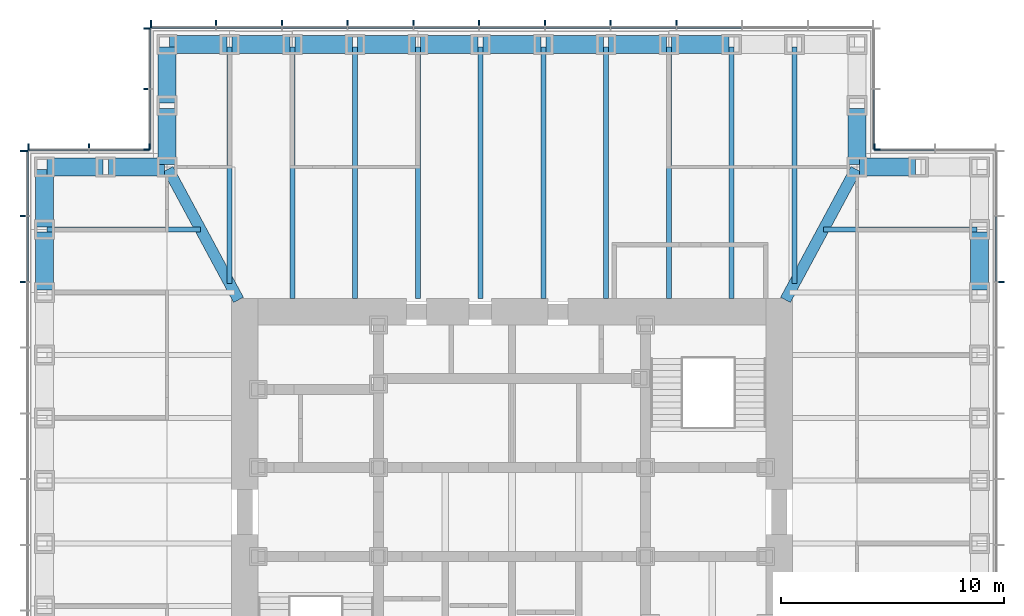
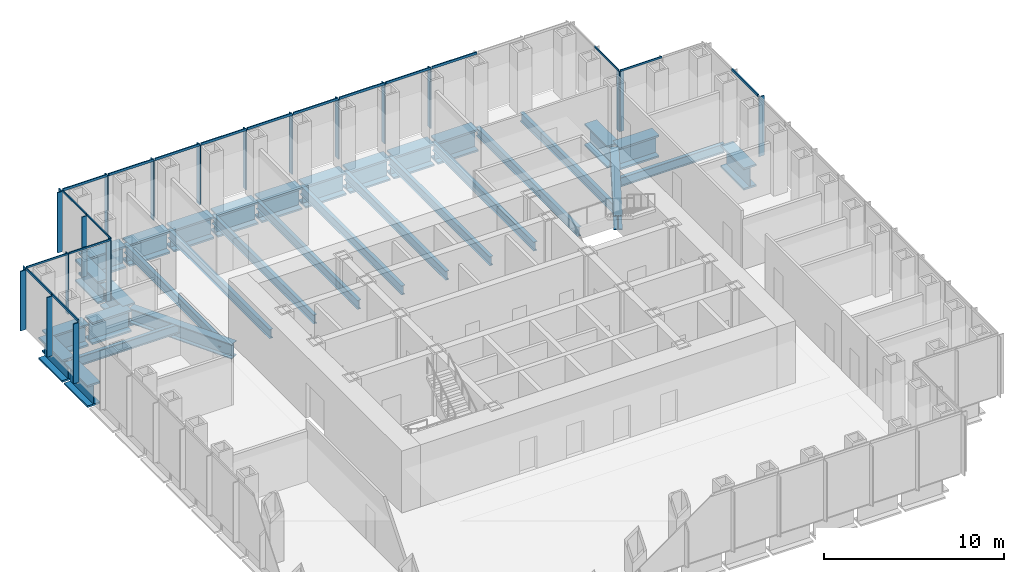
# One storey, part 5 of 16: 39 members, 32 beams, 7 elements without a shape of their own.
"""IFC4 building model written with IfcOpenShell, lengths in metres."""

from ifc_helpers import new_model, si_unit, direction, frame, origin, origin_2d, place, context, subcontext, project, spatial, rectangle, i_section, extrude, material, material_profile, profile_set, type_object, element, aggregate, save


model = new_model("IFC4")

# Units and contexts
model_context = context("Model", 3, precision=1e-05, world=origin(), true_north=direction((0.0, 1.0)))
body_context = subcontext(model_context, "Body", "Model", "MODEL_VIEW")
ifc_project = project(units=[si_unit("LENGTHUNIT", "METRE"), si_unit("AREAUNIT", "SQUARE_METRE"), si_unit("VOLUMEUNIT", "CUBIC_METRE"), si_unit("PLANEANGLEUNIT", "RADIAN"), si_unit("MASSUNIT", "GRAM", prefix="KILO")], contexts=[model_context])

# Site, building, storey
site_placement = place(None, origin())
site = spatial("IfcSite", under=ifc_project, at=site_placement, CompositionType="ELEMENT")
building_placement = place(site_placement, origin())
building = spatial("IfcBuilding", under=site, at=building_placement, Name="Daluyong Arena Tower", CompositionType="ELEMENT")
storey_placement = place(building_placement, frame((0.0, 0.0, 206.5)))
storey = spatial("IfcBuildingStorey", under=building, at=storey_placement, Name="L46", CompositionType="ELEMENT", Elevation=206.5)

# Curtain wall, member
ifc_material_1 = material(Name="Bronze anodised aluminium and glass", Category="aluminium")
curtain_wall_type_1 = type_object("IfcCurtainWallType", Name="Curtain wall CW3", PredefinedType="USERDEFINED", material=ifc_material_1)
curtain_wall_1_placement = place(storey_placement, origin())
curtain_wall_1 = element("IfcCurtainWall", 1, at=curtain_wall_1_placement, inside=storey, type_object=curtain_wall_type_1, Name="curtain wall L46 E", ObjectType="UNITISED CURTAIN WALL", PredefinedType="USERDEFINED")
ifc_material_2 = material(Name="Bronze anodised aluminium fin", Category="aluminium")
ifc_material_profile_1 = material_profile(ifc_material_2, rectangle(XDim=0.35009765625, YDim=0.070068359375, at=origin_2d()))
ifc_profile_set_1 = profile_set([ifc_material_profile_1], Name="Bronze anodised aluminium fin")
member_type_1 = type_object("IfcMemberType", Name="CW3 bronze fin 350x70", PredefinedType="MULLION", material=ifc_profile_set_1)
member_1_placement = place(storey_placement, frame((77.925048828125, 90.3408203125, 0.0), z_axis=(0.0, 0.0, 1.0), x_axis=(-1.0, 0.0, 0.0)))
member_1 = element("IfcMember", 2, at=member_1_placement, type_object=member_type_1, Name="curtain wall L46 E fin 10", PredefinedType="MULLION", context=body_context, shape_type="SweptSolid", body=[
    extrude(rectangle(XDim=0.35009765625, YDim=0.070068359375, at=origin_2d()), origin(), (0.0, 0.0, 1.0), 4.0400390625),
])

# Curtain wall, members
curtain_wall_2_placement = place(storey_placement, origin())
curtain_wall_2 = element("IfcCurtainWall", 3, at=curtain_wall_2_placement, inside=storey, type_object=curtain_wall_type_1, Name="curtain wall L46 N", ObjectType="UNITISED CURTAIN WALL", PredefinedType="USERDEFINED")
member_2_placement = place(storey_placement, frame((63.386474609375, 101.925048828125, 0.0), z_axis=(0.0, 0.0, 1.0), x_axis=(0.0, -1.0, 0.0)))
member_2 = element("IfcMember", 4, at=member_2_placement, type_object=member_type_1, Name="curtain wall L46 N fin 4", PredefinedType="MULLION", context=body_context, shape_type="SweptSolid", body=[
    extrude(rectangle(XDim=0.35009765625, YDim=0.070068359375, at=origin_2d()), origin(), (0.0, 0.0, 1.0), 4.0400390625),
])
member_3_placement = place(storey_placement, frame((60.431884765625, 101.925048828125, 0.0), z_axis=(0.0, 0.0, 1.0), x_axis=(0.0, -1.0, 0.0)))
member_3 = element("IfcMember", 5, at=member_3_placement, type_object=member_type_1, Name="curtain wall L46 N fin 5", PredefinedType="MULLION", context=body_context, shape_type="SweptSolid", body=[
    extrude(rectangle(XDim=0.35009765625, YDim=0.070068359375, at=origin_2d()), origin(), (0.0, 0.0, 1.0), 4.0400390625),
])
member_4_placement = place(storey_placement, frame((57.477294921875, 101.925048828125, 0.0), z_axis=(0.0, 0.0, 1.0), x_axis=(0.0, -1.0, 0.0)))
member_4 = element("IfcMember", 6, at=member_4_placement, type_object=member_type_1, Name="curtain wall L46 N fin 6", PredefinedType="MULLION", context=body_context, shape_type="SweptSolid", body=[
    extrude(rectangle(XDim=0.35009765625, YDim=0.070068359375, at=origin_2d()), origin(), (0.0, 0.0, 1.0), 4.0400390625),
])
member_5_placement = place(storey_placement, frame((54.522705078125, 101.925048828125, 0.0), z_axis=(0.0, 0.0, 1.0), x_axis=(0.0, -1.0, 0.0)))
member_5 = element("IfcMember", 7, at=member_5_placement, type_object=member_type_1, Name="curtain wall L46 N fin 7", PredefinedType="MULLION", context=body_context, shape_type="SweptSolid", body=[
    extrude(rectangle(XDim=0.35009765625, YDim=0.070068359375, at=origin_2d()), origin(), (0.0, 0.0, 1.0), 4.0400390625),
])
member_6_placement = place(storey_placement, frame((51.568115234375, 101.925048828125, 0.0), z_axis=(0.0, 0.0, 1.0), x_axis=(0.0, -1.0, 0.0)))
member_6 = element("IfcMember", 8, at=member_6_placement, type_object=member_type_1, Name="curtain wall L46 N fin 8", PredefinedType="MULLION", context=body_context, shape_type="SweptSolid", body=[
    extrude(rectangle(XDim=0.35009765625, YDim=0.070068359375, at=origin_2d()), origin(), (0.0, 0.0, 1.0), 4.0400390625),
])
member_7_placement = place(storey_placement, frame((48.613525390625, 101.925048828125, 0.0), z_axis=(0.0, 0.0, 1.0), x_axis=(0.0, -1.0, 0.0)))
member_7 = element("IfcMember", 9, at=member_7_placement, type_object=member_type_1, Name="curtain wall L46 N fin 9", PredefinedType="MULLION", context=body_context, shape_type="SweptSolid", body=[
    extrude(rectangle(XDim=0.35009765625, YDim=0.070068359375, at=origin_2d()), origin(), (0.0, 0.0, 1.0), 4.0400390625),
])
member_8_placement = place(storey_placement, frame((45.6591796875, 101.925048828125, 0.0), z_axis=(0.0, 0.0, 1.0), x_axis=(0.0, -1.0, 0.0)))
member_8 = element("IfcMember", 10, at=member_8_placement, type_object=member_type_1, Name="curtain wall L46 N fin 10", PredefinedType="MULLION", context=body_context, shape_type="SweptSolid", body=[
    extrude(rectangle(XDim=0.35009765625, YDim=0.070068359375, at=origin_2d()), origin(), (0.0, 0.0, 1.0), 4.0400390625),
])
member_9_placement = place(storey_placement, frame((42.70458984375, 101.925048828125, 0.0), z_axis=(0.0, 0.0, 1.0), x_axis=(0.0, -1.0, 0.0)))
member_9 = element("IfcMember", 11, at=member_9_placement, type_object=member_type_1, Name="curtain wall L46 N fin 11", PredefinedType="MULLION", context=body_context, shape_type="SweptSolid", body=[
    extrude(rectangle(XDim=0.35009765625, YDim=0.070068359375, at=origin_2d()), origin(), (0.0, 0.0, 1.0), 4.0400390625),
])
member_10_placement = place(storey_placement, frame((39.784912109375, 101.925048828125, 0.0), z_axis=(0.0, 0.0, 1.0), x_axis=(0.0, -1.0, 0.0)))
member_10 = element("IfcMember", 12, at=member_10_placement, type_object=member_type_1, Name="curtain wall L46 N fin 12", PredefinedType="MULLION", context=body_context, shape_type="SweptSolid", body=[
    extrude(rectangle(XDim=0.35009765625, YDim=0.070068359375, at=origin_2d()), origin(), (0.0, 0.0, 1.0), 4.0400390625),
])

curtain_wall_3_placement = place(storey_placement, origin())
curtain_wall_3 = element("IfcCurtainWall", 13, at=curtain_wall_3_placement, inside=storey, type_object=curtain_wall_type_1, Name="curtain wall L46 W", ObjectType="UNITISED CURTAIN WALL", PredefinedType="USERDEFINED")
member_11_placement = place(storey_placement, frame((34.074951171875, 96.215087890625, 0.0), z_axis=(0.0, 0.0, 1.0), x_axis=(1.0, 0.0, 0.0)))
member_11 = element("IfcMember", 14, at=member_11_placement, type_object=member_type_1, Name="curtain wall L46 W fin 1", PredefinedType="MULLION", context=body_context, shape_type="SweptSolid", body=[
    extrude(rectangle(XDim=0.35009765625, YDim=0.070068359375, at=origin_2d()), origin(), (0.0, 0.0, 1.0), 4.0400390625),
])
member_12_placement = place(storey_placement, frame((34.074951171875, 93.29541015625, 0.0), z_axis=(0.0, 0.0, 1.0), x_axis=(1.0, 0.0, 0.0)))
member_12 = element("IfcMember", 15, at=member_12_placement, type_object=member_type_1, Name="curtain wall L46 W fin 2", PredefinedType="MULLION", context=body_context, shape_type="SweptSolid", body=[
    extrude(rectangle(XDim=0.35009765625, YDim=0.070068359375, at=origin_2d()), origin(), (0.0, 0.0, 1.0), 4.0400390625),
])
member_13_placement = place(storey_placement, frame((34.074951171875, 90.3408203125, 0.0), z_axis=(0.0, 0.0, 1.0), x_axis=(1.0, 0.0, 0.0)))
member_13 = element("IfcMember", 16, at=member_13_placement, type_object=member_type_1, Name="curtain wall L46 W fin 3", PredefinedType="MULLION", context=body_context, shape_type="SweptSolid", body=[
    extrude(rectangle(XDim=0.35009765625, YDim=0.070068359375, at=origin_2d()), origin(), (0.0, 0.0, 1.0), 4.0400390625),
])

# Member
ifc_material_3 = material(Name="Bronze anodised aluminium", Category="aluminium")
ifc_material_profile_2 = material_profile(ifc_material_3, rectangle(XDim=0.070068359375, YDim=0.159912109375, at=origin_2d()))
ifc_profile_set_2 = profile_set([ifc_material_profile_2], Name="Bronze anodised aluminium")
member_type_2 = type_object("IfcMemberType", Name="CW3 stack transom 160x70", PredefinedType="USERDEFINED", material=ifc_profile_set_2)
member_14_placement = place(storey_placement, frame((77.75, 90.3759765625, 4.1201171875), z_axis=(0.0, 1.0, 0.0), x_axis=(-1.0, 0.0, 0.0)))
member_14 = element("IfcMember", 17, at=member_14_placement, type_object=member_type_2, Name="curtain wall L46 E transom 10", ObjectType="TRANSOM", PredefinedType="USERDEFINED", context=body_context, shape_type="SweptSolid", body=[
    extrude(rectangle(XDim=0.070068359375, YDim=0.159912109375, at=origin_2d()), origin(), (0.0, 0.0, 1.0), 2.884521484375),
])

aggregate(curtain_wall_1, [member_1, member_14])

member_15_placement = place(storey_placement, frame((66.305908203125, 101.75, 4.1201171875), z_axis=(-1.0, 0.0, 0.0), x_axis=(0.0, -1.0, 0.0)))
member_15 = element("IfcMember", 18, at=member_15_placement, type_object=member_type_2, Name="curtain wall L46 N transom 3", ObjectType="TRANSOM", PredefinedType="USERDEFINED", context=body_context, shape_type="SweptSolid", body=[
    extrude(rectangle(XDim=0.070068359375, YDim=0.159912109375, at=origin_2d()), origin(), (0.0, 0.0, 1.0), 2.884521484375),
])

member_16_placement = place(storey_placement, frame((63.351318359375, 101.75, 4.1201171875), z_axis=(-1.0, 0.0, 0.0), x_axis=(0.0, -1.0, 0.0)))
member_16 = element("IfcMember", 19, at=member_16_placement, type_object=member_type_2, Name="curtain wall L46 N transom 4", ObjectType="TRANSOM", PredefinedType="USERDEFINED", context=body_context, shape_type="SweptSolid", body=[
    extrude(rectangle(XDim=0.070068359375, YDim=0.159912109375, at=origin_2d()), origin(), (0.0, 0.0, 1.0), 2.884521484375),
])

member_17_placement = place(storey_placement, frame((60.396728515625, 101.75, 4.1201171875), z_axis=(-1.0, 0.0, 0.0), x_axis=(0.0, -1.0, 0.0)))
member_17 = element("IfcMember", 20, at=member_17_placement, type_object=member_type_2, Name="curtain wall L46 N transom 5", ObjectType="TRANSOM", PredefinedType="USERDEFINED", context=body_context, shape_type="SweptSolid", body=[
    extrude(rectangle(XDim=0.070068359375, YDim=0.159912109375, at=origin_2d()), origin(), (0.0, 0.0, 1.0), 2.884521484375),
])

member_18_placement = place(storey_placement, frame((57.4423828125, 101.75, 4.1201171875), z_axis=(-1.0, 0.0, 0.0), x_axis=(0.0, -1.0, 0.0)))
member_18 = element("IfcMember", 21, at=member_18_placement, type_object=member_type_2, Name="curtain wall L46 N transom 6", ObjectType="TRANSOM", PredefinedType="USERDEFINED", context=body_context, shape_type="SweptSolid", body=[
    extrude(rectangle(XDim=0.070068359375, YDim=0.159912109375, at=origin_2d()), origin(), (0.0, 0.0, 1.0), 2.884765625),
])

member_19_placement = place(storey_placement, frame((54.48779296875, 101.75, 4.1201171875), z_axis=(-1.0, 0.0, 0.0), x_axis=(0.0, -1.0, 0.0)))
member_19 = element("IfcMember", 22, at=member_19_placement, type_object=member_type_2, Name="curtain wall L46 N transom 7", ObjectType="TRANSOM", PredefinedType="USERDEFINED", context=body_context, shape_type="SweptSolid", body=[
    extrude(rectangle(XDim=0.070068359375, YDim=0.159912109375, at=origin_2d()), origin(), (0.0, 0.0, 1.0), 2.884521484375),
])

member_20_placement = place(storey_placement, frame((51.533203125, 101.75, 4.1201171875), z_axis=(-1.0, 0.0, 0.0), x_axis=(0.0, -1.0, 0.0)))
member_20 = element("IfcMember", 23, at=member_20_placement, type_object=member_type_2, Name="curtain wall L46 N transom 8", ObjectType="TRANSOM", PredefinedType="USERDEFINED", context=body_context, shape_type="SweptSolid", body=[
    extrude(rectangle(XDim=0.070068359375, YDim=0.159912109375, at=origin_2d()), origin(), (0.0, 0.0, 1.0), 2.884521484375),
])

member_21_placement = place(storey_placement, frame((48.57861328125, 101.75, 4.1201171875), z_axis=(-1.0, 0.0, 0.0), x_axis=(0.0, -1.0, 0.0)))
member_21 = element("IfcMember", 24, at=member_21_placement, type_object=member_type_2, Name="curtain wall L46 N transom 9", ObjectType="TRANSOM", PredefinedType="USERDEFINED", context=body_context, shape_type="SweptSolid", body=[
    extrude(rectangle(XDim=0.070068359375, YDim=0.159912109375, at=origin_2d()), origin(), (0.0, 0.0, 1.0), 2.884521484375),
])

member_22_placement = place(storey_placement, frame((45.6240234375, 101.75, 4.1201171875), z_axis=(-1.0, 0.0, 0.0), x_axis=(0.0, -1.0, 0.0)))
member_22 = element("IfcMember", 25, at=member_22_placement, type_object=member_type_2, Name="curtain wall L46 N transom 10", ObjectType="TRANSOM", PredefinedType="USERDEFINED", context=body_context, shape_type="SweptSolid", body=[
    extrude(rectangle(XDim=0.070068359375, YDim=0.159912109375, at=origin_2d()), origin(), (0.0, 0.0, 1.0), 2.884521484375),
])

member_23_placement = place(storey_placement, frame((42.66943359375, 101.75, 4.1201171875), z_axis=(-1.0, 0.0, 0.0), x_axis=(0.0, -1.0, 0.0)))
member_23 = element("IfcMember", 26, at=member_23_placement, type_object=member_type_2, Name="curtain wall L46 N transom 11", ObjectType="TRANSOM", PredefinedType="USERDEFINED", context=body_context, shape_type="SweptSolid", body=[
    extrude(rectangle(XDim=0.070068359375, YDim=0.159912109375, at=origin_2d()), origin(), (0.0, 0.0, 1.0), 2.849365234375),
])

aggregate(curtain_wall_2, [member_2, member_3, member_4, member_5, member_6, member_7, member_8, member_9, member_10, member_15, member_16, member_17, member_18, member_19, member_20, member_21, member_22, member_23])

member_24_placement = place(storey_placement, frame((34.25, 96.179931640625, 4.1201171875), z_axis=(0.0, -1.0, 0.0), x_axis=(1.0, 0.0, 0.0)))
member_24 = element("IfcMember", 27, at=member_24_placement, type_object=member_type_2, Name="curtain wall L46 W transom 1", ObjectType="TRANSOM", PredefinedType="USERDEFINED", context=body_context, shape_type="SweptSolid", body=[
    extrude(rectangle(XDim=0.070068359375, YDim=0.159912109375, at=origin_2d()), origin(), (0.0, 0.0, 1.0), 2.849365234375),
])

member_25_placement = place(storey_placement, frame((34.25, 93.260498046875, 4.1201171875), z_axis=(0.0, -1.0, 0.0), x_axis=(1.0, 0.0, 0.0)))
member_25 = element("IfcMember", 28, at=member_25_placement, type_object=member_type_2, Name="curtain wall L46 W transom 2", ObjectType="TRANSOM", PredefinedType="USERDEFINED", context=body_context, shape_type="SweptSolid", body=[
    extrude(rectangle(XDim=0.070068359375, YDim=0.159912109375, at=origin_2d()), origin(), (0.0, 0.0, 1.0), 2.884521484375),
])

aggregate(curtain_wall_3, [member_11, member_12, member_13, member_24, member_25])

# Curtain wall, member
ifc_material_4 = material(Name="Bronze anodised aluminium and glass", Category="aluminium")
curtain_wall_type_2 = type_object("IfcCurtainWallType", Name="Curtain wall CW7", PredefinedType="USERDEFINED", material=ifc_material_4)
curtain_wall_4_placement = place(storey_placement, origin())
curtain_wall_4 = element("IfcCurtainWall", 29, at=curtain_wall_4_placement, inside=storey, type_object=curtain_wall_type_2, Name="curtain wall L46 NE-N", ObjectType="UNITISED CURTAIN WALL", PredefinedType="USERDEFINED")
ifc_material_5 = material(Name="Bronze anodised aluminium fin", Category="aluminium")
ifc_material_profile_3 = material_profile(ifc_material_5, rectangle(XDim=0.300048828125, YDim=0.06005859375, at=origin_2d()))
ifc_profile_set_3 = profile_set([ifc_material_profile_3], Name="Bronze anodised aluminium fin")
member_type_3 = type_object("IfcMemberType", Name="CW7 bronze fin 300x60", PredefinedType="MULLION", material=ifc_profile_set_3)
member_26_placement = place(storey_placement, frame((72.280029296875, 96.39990234375, 0.0), z_axis=(0.0, 0.0, 1.0), x_axis=(0.0, -1.0, 0.0)))
member_26 = element("IfcMember", 30, at=member_26_placement, type_object=member_type_3, Name="curtain wall L46 NE-N fin 3", PredefinedType="MULLION", context=body_context, shape_type="SweptSolid", body=[
    extrude(rectangle(XDim=0.300048828125, YDim=0.06005859375, at=origin_2d()), origin(), (0.0, 0.0, 1.0), 4.080078125),
])

curtain_wall_5_placement = place(storey_placement, origin())
curtain_wall_5 = element("IfcCurtainWall", 31, at=curtain_wall_5_placement, inside=storey, type_object=curtain_wall_type_2, Name="curtain wall L46 NE-E", ObjectType="UNITISED CURTAIN WALL", PredefinedType="USERDEFINED")
member_27_placement = place(storey_placement, frame((72.39990234375, 96.280029296875, 0.0), z_axis=(0.0, 0.0, 1.0), x_axis=(-1.0, 0.0, 0.0)))
member_27 = element("IfcMember", 32, at=member_27_placement, type_object=member_type_3, Name="curtain wall L46 NE-E fin 1", PredefinedType="MULLION", context=body_context, shape_type="SweptSolid", body=[
    extrude(rectangle(XDim=0.300048828125, YDim=0.06005859375, at=origin_2d()), origin(), (0.0, 0.0, 1.0), 4.080078125),
])

# Curtain wall, members
curtain_wall_6_placement = place(storey_placement, origin())
curtain_wall_6 = element("IfcCurtainWall", 33, at=curtain_wall_6_placement, inside=storey, type_object=curtain_wall_type_2, Name="curtain wall L46 NW-W", ObjectType="UNITISED CURTAIN WALL", PredefinedType="USERDEFINED")
member_28_placement = place(storey_placement, frame((39.60009765625, 101.719970703125, 0.0), z_axis=(0.0, 0.0, 1.0), x_axis=(1.0, 0.0, 0.0)))
member_28 = element("IfcMember", 34, at=member_28_placement, type_object=member_type_3, Name="curtain wall L46 NW-W fin 1", PredefinedType="MULLION", context=body_context, shape_type="SweptSolid", body=[
    extrude(rectangle(XDim=0.300048828125, YDim=0.06005859375, at=origin_2d()), origin(), (0.0, 0.0, 1.0), 4.080078125),
])
member_29_placement = place(storey_placement, frame((39.60009765625, 99.0, 0.0), z_axis=(0.0, 0.0, 1.0), x_axis=(1.0, 0.0, 0.0)))
member_29 = element("IfcMember", 35, at=member_29_placement, type_object=member_type_3, Name="curtain wall L46 NW-W fin 2", PredefinedType="MULLION", context=body_context, shape_type="SweptSolid", body=[
    extrude(rectangle(XDim=0.300048828125, YDim=0.06005859375, at=origin_2d()), origin(), (0.0, 0.0, 1.0), 4.080078125),
])
member_30_placement = place(storey_placement, frame((39.60009765625, 96.280029296875, 0.0), z_axis=(0.0, 0.0, 1.0), x_axis=(1.0, 0.0, 0.0)))
member_30 = element("IfcMember", 36, at=member_30_placement, type_object=member_type_3, Name="curtain wall L46 NW-W fin 3", PredefinedType="MULLION", context=body_context, shape_type="SweptSolid", body=[
    extrude(rectangle(XDim=0.300048828125, YDim=0.06005859375, at=origin_2d()), origin(), (0.0, 0.0, 1.0), 4.080078125),
])

curtain_wall_7_placement = place(storey_placement, origin())
curtain_wall_7 = element("IfcCurtainWall", 37, at=curtain_wall_7_placement, inside=storey, type_object=curtain_wall_type_2, Name="curtain wall L46 NW-N", ObjectType="UNITISED CURTAIN WALL", PredefinedType="USERDEFINED")
member_31_placement = place(storey_placement, frame((39.719970703125, 96.39990234375, 0.0), z_axis=(0.0, 0.0, 1.0), x_axis=(0.0, -1.0, 0.0)))
member_31 = element("IfcMember", 38, at=member_31_placement, type_object=member_type_3, Name="curtain wall L46 NW-N fin 1", PredefinedType="MULLION", context=body_context, shape_type="SweptSolid", body=[
    extrude(rectangle(XDim=0.300048828125, YDim=0.06005859375, at=origin_2d()), origin(), (0.0, 0.0, 1.0), 4.080078125),
])
member_32_placement = place(storey_placement, frame((37.0, 96.39990234375, 0.0), z_axis=(0.0, 0.0, 1.0), x_axis=(0.0, -1.0, 0.0)))
member_32 = element("IfcMember", 39, at=member_32_placement, type_object=member_type_3, Name="curtain wall L46 NW-N fin 2", PredefinedType="MULLION", context=body_context, shape_type="SweptSolid", body=[
    extrude(rectangle(XDim=0.300048828125, YDim=0.06005859375, at=origin_2d()), origin(), (0.0, 0.0, 1.0), 4.080078125),
])
member_33_placement = place(storey_placement, frame((34.280029296875, 96.39990234375, 0.0), z_axis=(0.0, 0.0, 1.0), x_axis=(0.0, -1.0, 0.0)))
member_33 = element("IfcMember", 40, at=member_33_placement, type_object=member_type_3, Name="curtain wall L46 NW-N fin 3", PredefinedType="MULLION", context=body_context, shape_type="SweptSolid", body=[
    extrude(rectangle(XDim=0.300048828125, YDim=0.06005859375, at=origin_2d()), origin(), (0.0, 0.0, 1.0), 4.080078125),
])

# Member
ifc_material_6 = material(Name="Bronze anodised aluminium", Category="aluminium")
ifc_material_profile_4 = material_profile(ifc_material_6, rectangle(XDim=0.06005859375, YDim=0.1201171875, at=origin_2d()))
ifc_profile_set_4 = profile_set([ifc_material_profile_4], Name="Bronze anodised aluminium")
member_type_4 = type_object("IfcMemberType", Name="CW7 stack transom 120x60", PredefinedType="USERDEFINED", material=ifc_profile_set_4)
member_34_placement = place(storey_placement, frame((74.969970703125, 96.25, 4.139892578125), z_axis=(-1.0, 0.0, 0.0), x_axis=(0.0, -1.0, 0.0)))
member_34 = element("IfcMember", 41, at=member_34_placement, type_object=member_type_4, Name="curtain wall L46 NE-N transom 2", ObjectType="TRANSOM", PredefinedType="USERDEFINED", context=body_context, shape_type="SweptSolid", body=[
    extrude(rectangle(XDim=0.06005859375, YDim=0.1201171875, at=origin_2d()), origin(), (0.0, 0.0, 1.0), 2.659912109375),
])

aggregate(curtain_wall_4, [member_26, member_34])

member_35_placement = place(storey_placement, frame((72.25, 96.31005859375, 4.139892578125), z_axis=(0.0, 1.0, 0.0), x_axis=(-1.0, 0.0, 0.0)))
member_35 = element("IfcMember", 42, at=member_35_placement, type_object=member_type_4, Name="curtain wall L46 NE-E transom 1", ObjectType="TRANSOM", PredefinedType="USERDEFINED", context=body_context, shape_type="SweptSolid", body=[
    extrude(rectangle(XDim=0.06005859375, YDim=0.1201171875, at=origin_2d()), origin(), (0.0, 0.0, 1.0), 2.659912109375),
])

aggregate(curtain_wall_5, [member_27, member_35])

member_36_placement = place(storey_placement, frame((39.75, 101.68994140625, 4.139892578125), z_axis=(0.0, -1.0, 0.0), x_axis=(1.0, 0.0, 0.0)))
member_36 = element("IfcMember", 43, at=member_36_placement, type_object=member_type_4, Name="curtain wall L46 NW-W transom 1", ObjectType="TRANSOM", PredefinedType="USERDEFINED", context=body_context, shape_type="SweptSolid", body=[
    extrude(rectangle(XDim=0.06005859375, YDim=0.1201171875, at=origin_2d()), origin(), (0.0, 0.0, 1.0), 2.659912109375),
])

member_37_placement = place(storey_placement, frame((39.75, 98.969970703125, 4.139892578125), z_axis=(0.0, -1.0, 0.0), x_axis=(1.0, 0.0, 0.0)))
member_37 = element("IfcMember", 44, at=member_37_placement, type_object=member_type_4, Name="curtain wall L46 NW-W transom 2", ObjectType="TRANSOM", PredefinedType="USERDEFINED", context=body_context, shape_type="SweptSolid", body=[
    extrude(rectangle(XDim=0.06005859375, YDim=0.1201171875, at=origin_2d()), origin(), (0.0, 0.0, 1.0), 2.659912109375),
])

aggregate(curtain_wall_6, [member_28, member_29, member_30, member_36, member_37])

member_38_placement = place(storey_placement, frame((39.68994140625, 96.25, 4.139892578125), z_axis=(-1.0, 0.0, 0.0), x_axis=(0.0, -1.0, 0.0)))
member_38 = element("IfcMember", 45, at=member_38_placement, type_object=member_type_4, Name="curtain wall L46 NW-N transom 1", ObjectType="TRANSOM", PredefinedType="USERDEFINED", context=body_context, shape_type="SweptSolid", body=[
    extrude(rectangle(XDim=0.06005859375, YDim=0.1201171875, at=origin_2d()), origin(), (0.0, 0.0, 1.0), 2.659912109375),
])

member_39_placement = place(storey_placement, frame((36.969970703125, 96.25, 4.139892578125), z_axis=(-1.0, 0.0, 0.0), x_axis=(0.0, -1.0, 0.0)))
member_39 = element("IfcMember", 46, at=member_39_placement, type_object=member_type_4, Name="curtain wall L46 NW-N transom 2", ObjectType="TRANSOM", PredefinedType="USERDEFINED", context=body_context, shape_type="SweptSolid", body=[
    extrude(rectangle(XDim=0.06005859375, YDim=0.1201171875, at=origin_2d()), origin(), (0.0, 0.0, 1.0), 2.659912109375),
])

aggregate(curtain_wall_7, [member_31, member_32, member_33, member_38, member_39])

# Beams
ifc_material_7 = material(Name="Steel ASTM A572 Grade 50", Category="steel")
ifc_material_profile_5 = material_profile(ifc_material_7, i_section(OverallWidth=0.5, OverallDepth=1.0, WebThickness=0.03, FlangeThickness=0.06, at=origin_2d()))
ifc_profile_set_5 = profile_set([ifc_material_profile_5], Name="Steel ASTM A572 Grade 50")
beam_type_1 = type_object("IfcBeamType", Name="Corner girder TB1000X500", PredefinedType="BEAM", material=ifc_profile_set_5)
for number, where, z_axis, x_axis, name in (
    (47, (71.445556640625, 95.398681640625, -0.659912109375), (-0.474119475266, -0.880460517669, 0.0), (0.880460517669, -0.474119475266, 0.0), "corner girder DG2"),
    (48, (40.554443359375, 95.398681640625, -0.659912109375), (0.474119475266, -0.880460517669, 0.0), (0.880460517669, 0.474119475266, 0.0), "corner girder DG2"),
):
    element("IfcBeam", number, at=place(storey_placement, frame(where, z_axis=z_axis, x_axis=x_axis)), inside=storey, type_object=beam_type_1, Name=name, PredefinedType="BEAM", context=body_context, shape_type="SweptSolid", body=[
        extrude(i_section(OverallWidth=0.5, OverallDepth=1.0, WebThickness=0.03, FlangeThickness=0.06, at=origin_2d()), origin(), (0.0, 0.0, 1.0), 6.66748046875),
    ])
ifc_material_8 = material(Name="Steel ASTM A992 Grade 50", Category="steel")
ifc_material_profile_6 = material_profile(ifc_material_8, i_section(OverallWidth=0.22900390625, OverallDepth=0.612060546875, WebThickness=0.011962890625, FlangeThickness=0.01953125, at=origin_2d()))
ifc_profile_set_6 = profile_set([ifc_material_profile_6], Name="Steel ASTM A992 Grade 50")
beam_type_2 = type_object("IfcBeamType", Name="Floor beam W24X84", PredefinedType="BEAM", material=ifc_profile_set_6)
beam_1_placement = place(storey_placement, frame((76.885009765625, 92.681884765625, -0.466064453125), z_axis=(-1.0, 0.0, 0.0), x_axis=(0.0, -1.0, 0.0)))
element("IfcBeam", 49, at=beam_1_placement, inside=storey, type_object=beam_type_2, Name="floor beam FB3", PredefinedType="BEAM", context=body_context, shape_type="SweptSolid", body=[
    extrude(i_section(OverallWidth=0.22900390625, OverallDepth=0.612060546875, WebThickness=0.011962890625, FlangeThickness=0.01953125, at=origin_2d()), origin(), (0.0, 0.0, 1.0), 6.902587890625),
])
beam_2_placement = place(storey_placement, frame((68.681884765625, 100.885009765625, -0.466064453125), z_axis=(0.0, -1.0, 0.0), x_axis=(1.0, 0.0, 0.0)))
element("IfcBeam", 50, at=beam_2_placement, inside=storey, type_object=beam_type_2, Name="floor beam FB3", PredefinedType="BEAM", context=body_context, shape_type="SweptSolid", body=[
    extrude(i_section(OverallWidth=0.22900390625, OverallDepth=0.612060546875, WebThickness=0.011962890625, FlangeThickness=0.01953125, at=origin_2d()), origin(), (0.0, 0.0, 1.0), 10.618896484375),
])
for number, where, z_axis, x_axis, name in (
    (51, (65.863525390625, 100.885009765625, -0.466064453125), (0.0, -1.0, 0.0), (1.0, 0.0, 0.0), "floor beam FB3"),
    (52, (63.04541015625, 100.885009765625, -0.466064453125), (0.0, -1.0, 0.0), (1.0, 0.0, 0.0), "floor beam FB3"),
    (53, (60.227294921875, 100.885009765625, -0.466064453125), (0.0, -1.0, 0.0), (1.0, 0.0, 0.0), "floor beam FB3"),
    (54, (57.4091796875, 100.885009765625, -0.466064453125), (0.0, -1.0, 0.0), (1.0, 0.0, 0.0), "floor beam FB3"),
    (55, (54.5908203125, 100.885009765625, -0.466064453125), (0.0, -1.0, 0.0), (1.0, 0.0, 0.0), "floor beam FB3"),
    (56, (51.772705078125, 100.885009765625, -0.466064453125), (0.0, -1.0, 0.0), (1.0, 0.0, 0.0), "floor beam FB3"),
    (57, (48.95458984375, 100.885009765625, -0.466064453125), (0.0, -1.0, 0.0), (1.0, 0.0, 0.0), "floor beam FB3"),
    (58, (46.136474609375, 100.885009765625, -0.466064453125), (0.0, -1.0, 0.0), (1.0, 0.0, 0.0), "floor beam FB3"),
):
    element("IfcBeam", number, at=place(storey_placement, frame(where, z_axis=z_axis, x_axis=x_axis)), inside=storey, type_object=beam_type_2, Name=name, PredefinedType="BEAM", context=body_context, shape_type="SweptSolid", body=[
        extrude(i_section(OverallWidth=0.22900390625, OverallDepth=0.612060546875, WebThickness=0.011962890625, FlangeThickness=0.01953125, at=origin_2d()), origin(), (0.0, 0.0, 1.0), 11.284912109375),
    ])
beam_3_placement = place(storey_placement, frame((43.318115234375, 100.885009765625, -0.466064453125), z_axis=(0.0, -1.0, 0.0), x_axis=(1.0, 0.0, 0.0)))
element("IfcBeam", 59, at=beam_3_placement, inside=storey, type_object=beam_type_2, Name="floor beam FB3", PredefinedType="BEAM", context=body_context, shape_type="SweptSolid", body=[
    extrude(i_section(OverallWidth=0.22900390625, OverallDepth=0.612060546875, WebThickness=0.011962890625, FlangeThickness=0.01953125, at=origin_2d()), origin(), (0.0, 0.0, 1.0), 10.618896484375),
])
beam_4_placement = place(storey_placement, frame((35.114990234375, 92.681884765625, -0.466064453125), z_axis=(1.0, 0.0, 0.0), x_axis=(0.0, 1.0, 0.0)))
element("IfcBeam", 60, at=beam_4_placement, inside=storey, type_object=beam_type_2, Name="floor beam FB3", PredefinedType="BEAM", context=body_context, shape_type="SweptSolid", body=[
    extrude(i_section(OverallWidth=0.22900390625, OverallDepth=0.612060546875, WebThickness=0.011962890625, FlangeThickness=0.01953125, at=origin_2d()), origin(), (0.0, 0.0, 1.0), 6.902587890625),
])
ifc_material_9 = material(Name="Steel ASTM A588 Grade 50", Category="steel")
ifc_material_profile_7 = material_profile(ifc_material_9, i_section(OverallWidth=0.800048828125, OverallDepth=1.5, WebThickness=0.05, FlangeThickness=0.12, at=origin_2d()))
ifc_profile_set_7 = profile_set([ifc_material_profile_7], Name="Steel ASTM A588 Grade 50")
beam_type_3 = type_object("IfcBeamType", Name="Spandrel Z3 PG1500X800", PredefinedType="SPANDREL", material=ifc_profile_set_7)
beam_5_placement = place(storey_placement, frame((77.0, 89.978515625, -0.909912109375), z_axis=(0.0, 1.0, 0.0), x_axis=(-1.0, 0.0, 0.0)))
element("IfcBeam", 61, at=beam_5_placement, inside=storey, type_object=beam_type_3, Name="spandrel z3 SB7", PredefinedType="SPANDREL", context=body_context, shape_type="SweptSolid", body=[
    extrude(i_section(OverallWidth=0.800048828125, OverallDepth=1.5, WebThickness=0.05, FlangeThickness=0.12, at=origin_2d()), origin(), (0.0, 0.0, 1.0), 2.58837890625),
])
for number, where, z_axis, x_axis, name in (
    (62, (74.135009765625, 95.5, -0.909912109375), (-1.0, 0.0, 0.0), (0.0, -1.0, 0.0), "spandrel z3 SB7"),
    (63, (71.5, 95.614990234375, -0.909912109375), (0.0, 1.0, 0.0), (-1.0, 0.0, 0.0), "spandrel z3 SB7"),
):
    element("IfcBeam", number, at=place(storey_placement, frame(where, z_axis=z_axis, x_axis=x_axis)), inside=storey, type_object=beam_type_3, Name=name, PredefinedType="SPANDREL", context=body_context, shape_type="SweptSolid", body=[
        extrude(i_section(OverallWidth=0.800048828125, OverallDepth=1.5, WebThickness=0.05, FlangeThickness=0.12, at=origin_2d()), origin(), (0.0, 0.0, 1.0), 2.52001953125),
    ])
for number, where, z_axis, x_axis, name in (
    (64, (65.74853515625, 101.0, -0.909912109375), (-1.0, 0.0, 0.0), (0.0, -1.0, 0.0), "spandrel z3 SB7"),
    (65, (62.930419921875, 101.0, -0.909912109375), (-1.0, 0.0, 0.0), (0.0, -1.0, 0.0), "spandrel z3 SB7"),
    (66, (60.1123046875, 101.0, -0.909912109375), (-1.0, 0.0, 0.0), (0.0, -1.0, 0.0), "spandrel z3 SB7"),
):
    element("IfcBeam", number, at=place(storey_placement, frame(where, z_axis=z_axis, x_axis=x_axis)), inside=storey, type_object=beam_type_3, Name=name, PredefinedType="SPANDREL", context=body_context, shape_type="SweptSolid", body=[
        extrude(i_section(OverallWidth=0.800048828125, OverallDepth=1.5, WebThickness=0.05, FlangeThickness=0.12, at=origin_2d()), origin(), (0.0, 0.0, 1.0), 2.588134765625),
    ])
beam_6_placement = place(storey_placement, frame((57.294189453125, 101.0, -0.909912109375), z_axis=(-1.0, 0.0, 0.0), x_axis=(0.0, -1.0, 0.0)))
element("IfcBeam", 67, at=beam_6_placement, inside=storey, type_object=beam_type_3, Name="spandrel z3 SB7", PredefinedType="SPANDREL", context=body_context, shape_type="SweptSolid", body=[
    extrude(i_section(OverallWidth=0.800048828125, OverallDepth=1.5, WebThickness=0.05, FlangeThickness=0.12, at=origin_2d()), origin(), (0.0, 0.0, 1.0), 2.58837890625),
])
for number, where, z_axis, x_axis, name in (
    (68, (54.475830078125, 101.0, -0.909912109375), (-1.0, 0.0, 0.0), (0.0, -1.0, 0.0), "spandrel z3 SB7"),
    (69, (51.65771484375, 101.0, -0.909912109375), (-1.0, 0.0, 0.0), (0.0, -1.0, 0.0), "spandrel z3 SB7"),
    (70, (48.839599609375, 101.0, -0.909912109375), (-1.0, 0.0, 0.0), (0.0, -1.0, 0.0), "spandrel z3 SB7"),
):
    element("IfcBeam", number, at=place(storey_placement, frame(where, z_axis=z_axis, x_axis=x_axis)), inside=storey, type_object=beam_type_3, Name=name, PredefinedType="SPANDREL", context=body_context, shape_type="SweptSolid", body=[
        extrude(i_section(OverallWidth=0.800048828125, OverallDepth=1.5, WebThickness=0.05, FlangeThickness=0.12, at=origin_2d()), origin(), (0.0, 0.0, 1.0), 2.588134765625),
    ])
beam_7_placement = place(storey_placement, frame((46.021484375, 101.0, -0.909912109375), z_axis=(-1.0, 0.0, 0.0), x_axis=(0.0, -1.0, 0.0)))
element("IfcBeam", 71, at=beam_7_placement, inside=storey, type_object=beam_type_3, Name="spandrel z3 SB7", PredefinedType="SPANDREL", context=body_context, shape_type="SweptSolid", body=[
    extrude(i_section(OverallWidth=0.800048828125, OverallDepth=1.5, WebThickness=0.05, FlangeThickness=0.12, at=origin_2d()), origin(), (0.0, 0.0, 1.0), 2.58837890625),
])
beam_8_placement = place(storey_placement, frame((43.203125, 101.0, -0.909912109375), z_axis=(-1.0, 0.0, 0.0), x_axis=(0.0, -1.0, 0.0)))
element("IfcBeam", 72, at=beam_8_placement, inside=storey, type_object=beam_type_3, Name="spandrel z3 SB7", PredefinedType="SPANDREL", context=body_context, shape_type="SweptSolid", body=[
    extrude(i_section(OverallWidth=0.800048828125, OverallDepth=1.5, WebThickness=0.05, FlangeThickness=0.12, at=origin_2d()), origin(), (0.0, 0.0, 1.0), 2.588134765625),
])
for number, where, z_axis, x_axis, name in (
    (73, (40.5, 100.885009765625, -0.909912109375), (0.0, -1.0, 0.0), (1.0, 0.0, 0.0), "spandrel z3 SB7"),
    (74, (40.5, 98.135009765625, -0.909912109375), (0.0, -1.0, 0.0), (1.0, 0.0, 0.0), "spandrel z3 SB7"),
    (75, (40.385009765625, 95.5, -0.909912109375), (-1.0, 0.0, 0.0), (0.0, -1.0, 0.0), "spandrel z3 SB7"),
    (76, (37.635009765625, 95.5, -0.909912109375), (-1.0, 0.0, 0.0), (0.0, -1.0, 0.0), "spandrel z3 SB7"),
):
    element("IfcBeam", number, at=place(storey_placement, frame(where, z_axis=z_axis, x_axis=x_axis)), inside=storey, type_object=beam_type_3, Name=name, PredefinedType="SPANDREL", context=body_context, shape_type="SweptSolid", body=[
        extrude(i_section(OverallWidth=0.800048828125, OverallDepth=1.5, WebThickness=0.05, FlangeThickness=0.12, at=origin_2d()), origin(), (0.0, 0.0, 1.0), 2.52001953125),
    ])
beam_9_placement = place(storey_placement, frame((35.0, 95.385009765625, -0.909912109375), z_axis=(0.0, -1.0, 0.0), x_axis=(1.0, 0.0, 0.0)))
element("IfcBeam", 77, at=beam_9_placement, inside=storey, type_object=beam_type_3, Name="spandrel z3 SB7", PredefinedType="SPANDREL", context=body_context, shape_type="SweptSolid", body=[
    extrude(i_section(OverallWidth=0.800048828125, OverallDepth=1.5, WebThickness=0.05, FlangeThickness=0.12, at=origin_2d()), origin(), (0.0, 0.0, 1.0), 2.588134765625),
])
beam_10_placement = place(storey_placement, frame((35.0, 92.56689453125, -0.909912109375), z_axis=(0.0, -1.0, 0.0), x_axis=(1.0, 0.0, 0.0)))
element("IfcBeam", 78, at=beam_10_placement, inside=storey, type_object=beam_type_3, Name="spandrel z3 SB7", PredefinedType="SPANDREL", context=body_context, shape_type="SweptSolid", body=[
    extrude(i_section(OverallWidth=0.800048828125, OverallDepth=1.5, WebThickness=0.05, FlangeThickness=0.12, at=origin_2d()), origin(), (0.0, 0.0, 1.0), 2.58837890625),
])

save(model, "model.ifc")
